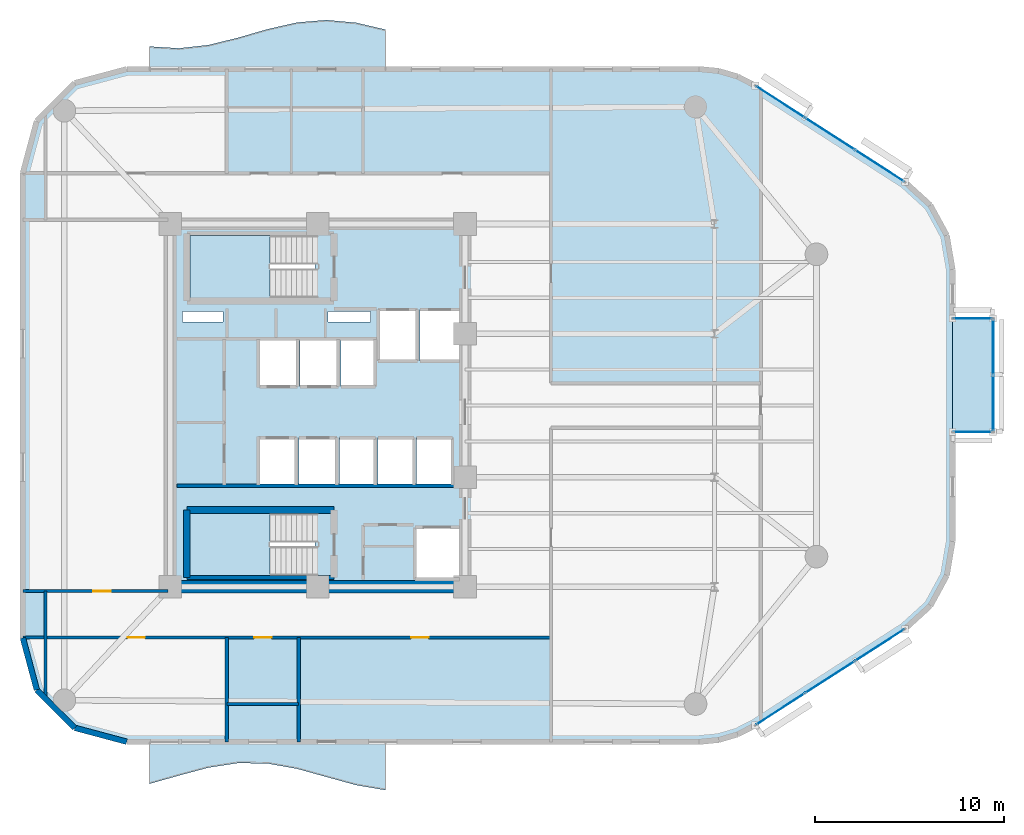
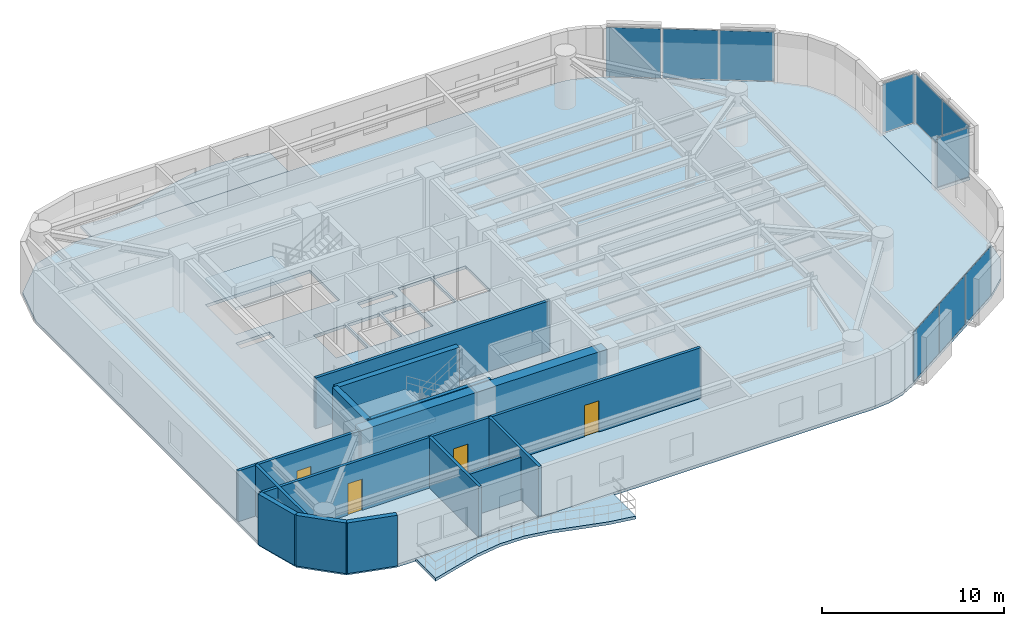
# One storey, part 7 of 12: 14 walls, 10 plates, 6 slabs, 4 doors, 4 openings, 7 elements without a shape of their own.
"""IFC4 building model written with IfcOpenShell, lengths in metres."""

from ifc_helpers import new_model, si_unit, direction, frame, frame_2d, origin, origin_2d, place, context, subcontext, project, spatial, polyline, rectangle, outline, extrude, material, layer, layer_set, type_object, element, fill, aggregate, save


model = new_model("IFC4")

# Units and contexts
model_context = context("Model", 3, precision=1e-05, world=origin(), true_north=direction((0.0, 1.0)))
body_context = subcontext(model_context, "Body", "Model", "MODEL_VIEW")
ifc_project = project(units=[si_unit("LENGTHUNIT", "METRE"), si_unit("AREAUNIT", "SQUARE_METRE"), si_unit("VOLUMEUNIT", "CUBIC_METRE"), si_unit("PLANEANGLEUNIT", "RADIAN"), si_unit("MASSUNIT", "GRAM", prefix="KILO")], contexts=[model_context])

# Site, building, storey
site_placement = place(None, origin())
site = spatial("IfcSite", under=ifc_project, at=site_placement, CompositionType="ELEMENT")
building_placement = place(site_placement, origin())
building = spatial("IfcBuilding", under=site, at=building_placement, Name="An Khanh Terracotta Commons", CompositionType="ELEMENT")
storey_placement = place(building_placement, frame((0.0, 0.0, 161.800048828125)))
storey = spatial("IfcBuildingStorey", under=building, at=storey_placement, Name="L42", CompositionType="ELEMENT", Elevation=161.800048828125)

# Curtain wall, plates
ifc_material_1 = material(Name="Anodised Aluminium 6063-T6", Category="aluminium")
ifc_layer_1 = layer(ifc_material_1, 0.2099609375, Name="Anodised Aluminium 6063-T6")
ifc_layer_set_1 = layer_set([ifc_layer_1], Name="Anodised Aluminium 6063-T6")
curtain_wall_type_1 = type_object("IfcCurtainWallType", Name="CW-SYS-03", PredefinedType="USERDEFINED", material=ifc_layer_set_1)
curtain_wall_1_placement = place(storey_placement, origin())
curtain_wall_1 = element("IfcCurtainWall", 1, at=curtain_wall_1_placement, inside=storey, type_object=curtain_wall_type_1, Name="L42 CW-03 Unitised Curtain Wall CW-L42-08", ObjectType="UNITISED CURTAIN WALL", PredefinedType="USERDEFINED")
ifc_material_2 = material(Name="Acoustic Laminated Low-E Glazing", Category="glass")
ifc_layer_2 = layer(ifc_material_2, 0.035888671875, Name="Acoustic Laminated Low-E Glazing")
ifc_layer_set_2 = layer_set([ifc_layer_2], Name="Acoustic Laminated Low-E Glazing")
plate_type_1 = type_object("IfcPlateType", Name="CWP-IGU-36", PredefinedType="CURTAIN_PANEL", material=ifc_layer_set_2)
plate_1_placement = place(storey_placement, frame((53.894287109375, 7.935546875, 0.0498046875), z_axis=(0.0, 0.0, 1.0), x_axis=(0.840702081986, 0.541497931062, 0.0)))
plate_1 = element("IfcPlate", 2, at=plate_1_placement, type_object=plate_type_1, Name="CW-03 panel 1.1", PredefinedType="CURTAIN_PANEL", context=body_context, shape_type="SweptSolid", body=[
    extrude(rectangle(XDim=3.034423828125, YDim=0.035888671875, at=origin_2d()), origin(), (0.0, 0.0, 1.0), 3.300048828125),
])
plate_2_placement = place(storey_placement, frame((56.51904296875, 9.6259765625, 0.0498046875), z_axis=(0.0, 0.0, 1.0), x_axis=(0.840702081986, 0.541497931062, 0.0)))
plate_2 = element("IfcPlate", 3, at=plate_2_placement, type_object=plate_type_1, Name="CW-03 panel 2.1", PredefinedType="CURTAIN_PANEL", context=body_context, shape_type="SweptSolid", body=[
    extrude(rectangle(XDim=3.0693359375, YDim=0.035888671875, at=origin_2d()), origin(), (0.0, 0.0, 1.0), 3.300048828125),
])
plate_3_placement = place(storey_placement, frame((59.1435546875, 11.31640625, 0.0498046875), z_axis=(0.0, 0.0, 1.0), x_axis=(0.840702081986, 0.541497931062, 0.0)))
plate_3 = element("IfcPlate", 4, at=plate_3_placement, type_object=plate_type_1, Name="CW-03 panel 3.1", PredefinedType="CURTAIN_PANEL", context=body_context, shape_type="SweptSolid", body=[
    extrude(rectangle(XDim=3.034423828125, YDim=0.035888671875, at=origin_2d()), origin(), (0.0, 0.0, 1.0), 3.300048828125),
])
aggregate(curtain_wall_1, [plate_1, plate_2, plate_3])

curtain_wall_2_placement = place(storey_placement, origin())
curtain_wall_2 = element("IfcCurtainWall", 5, at=curtain_wall_2_placement, inside=storey, type_object=curtain_wall_type_1, Name="L42 CW-03 Unitised Curtain Wall CW-L42-16", ObjectType="UNITISED CURTAIN WALL", PredefinedType="USERDEFINED")
plate_4_placement = place(storey_placement, frame((59.1435546875, 36.68359375, 0.0498046875), z_axis=(0.0, 0.0, 1.0), x_axis=(-0.840702081986, 0.541497931062, 0.0)))
plate_4 = element("IfcPlate", 6, at=plate_4_placement, type_object=plate_type_1, Name="CW-03 panel 1.1", PredefinedType="CURTAIN_PANEL", context=body_context, shape_type="SweptSolid", body=[
    extrude(rectangle(XDim=3.034423828125, YDim=0.035888671875, at=origin_2d()), origin(), (0.0, 0.0, 1.0), 3.300048828125),
])
plate_5_placement = place(storey_placement, frame((56.51904296875, 38.3740234375, 0.0498046875), z_axis=(0.0, 0.0, 1.0), x_axis=(-0.840702081986, 0.541497931062, 0.0)))
plate_5 = element("IfcPlate", 7, at=plate_5_placement, type_object=plate_type_1, Name="CW-03 panel 2.1", PredefinedType="CURTAIN_PANEL", context=body_context, shape_type="SweptSolid", body=[
    extrude(rectangle(XDim=3.0693359375, YDim=0.035888671875, at=origin_2d()), origin(), (0.0, 0.0, 1.0), 3.300048828125),
])
plate_6_placement = place(storey_placement, frame((53.894287109375, 40.064453125, 0.0498046875), z_axis=(0.0, 0.0, 1.0), x_axis=(-0.840702081986, 0.541497931062, 0.0)))
plate_6 = element("IfcPlate", 8, at=plate_6_placement, type_object=plate_type_1, Name="CW-03 panel 3.1", PredefinedType="CURTAIN_PANEL", context=body_context, shape_type="SweptSolid", body=[
    extrude(rectangle(XDim=3.034423828125, YDim=0.035888671875, at=origin_2d()), origin(), (0.0, 0.0, 1.0), 3.300048828125),
])
aggregate(curtain_wall_2, [plate_4, plate_5, plate_6])

ifc_layer_3 = layer(ifc_material_1, 0.239990234375, Name="Anodised Aluminium 6063-T6")
ifc_layer_set_3 = layer_set([ifc_layer_3], Name="Anodised Aluminium 6063-T6")
curtain_wall_type_2 = type_object("IfcCurtainWallType", Name="CW-SYS-04", PredefinedType="USERDEFINED", material=ifc_layer_set_3)
curtain_wall_3_placement = place(storey_placement, origin())
curtain_wall_3 = element("IfcCurtainWall", 9, at=curtain_wall_3_placement, inside=storey, type_object=curtain_wall_type_2, Name="L42 CW-04 Unitised Curtain Wall CW-L42-EBOX-1", ObjectType="UNITISED CURTAIN WALL", PredefinedType="USERDEFINED")
ifc_material_3 = material(Name="Triple-Silver Sky-Lobby Glazing", Category="glass")
ifc_layer_4 = layer(ifc_material_3, 0.0400390625, Name="Triple-Silver Sky-Lobby Glazing")
ifc_layer_set_4 = layer_set([ifc_layer_4], Name="Triple-Silver Sky-Lobby Glazing")
plate_type_2 = type_object("IfcPlateType", Name="CWP-IGU-40", PredefinedType="CURTAIN_PANEL", material=ifc_layer_set_4)
plate_7_placement = place(storey_placement, frame((65.14990234375, 24.1162109375, 0.06005859375), z_axis=(0.0, 0.0, 1.0), x_axis=(0.0, 1.0, 0.0)))
plate_7 = element("IfcPlate", 10, at=plate_7_placement, type_object=plate_type_2, Name="CW-04 panel 1.1", PredefinedType="CURTAIN_PANEL", context=body_context, shape_type="SweptSolid", body=[
    extrude(rectangle(XDim=2.902587890625, YDim=0.0400390625, at=origin_2d()), origin(), (0.0, 0.0, 1.0), 3.280029296875),
])
plate_8_placement = place(storey_placement, frame((65.14990234375, 27.083740234375, 0.06005859375), z_axis=(0.0, 0.0, 1.0), x_axis=(0.0, 1.0, 0.0)))
plate_8 = element("IfcPlate", 11, at=plate_8_placement, type_object=plate_type_2, Name="CW-04 panel 2.1", PredefinedType="CURTAIN_PANEL", context=body_context, shape_type="SweptSolid", body=[
    extrude(rectangle(XDim=2.902587890625, YDim=0.0400390625, at=origin_2d()), origin(), (0.0, 0.0, 1.0), 3.280029296875),
])
aggregate(curtain_wall_3, [plate_7, plate_8])

# Curtain wall, plate
curtain_wall_4_placement = place(storey_placement, origin())
curtain_wall_4 = element("IfcCurtainWall", 12, at=curtain_wall_4_placement, inside=storey, type_object=curtain_wall_type_2, Name="L42 CW-04 Unitised Curtain Wall CW-L42-EBOX-2", ObjectType="UNITISED CURTAIN WALL", PredefinedType="USERDEFINED")
plate_9_placement = place(storey_placement, frame((64.074951171875, 22.60009765625, 0.06005859375), z_axis=(0.0, 0.0, 1.0), x_axis=(1.0, 0.0, 0.0)))
plate_9 = element("IfcPlate", 13, at=plate_9_placement, type_object=plate_type_2, Name="CW-04 panel 1.1", PredefinedType="CURTAIN_PANEL", context=body_context, shape_type="SweptSolid", body=[
    extrude(rectangle(XDim=2.02001953125, YDim=0.0400390625, at=origin_2d()), origin(), (0.0, 0.0, 1.0), 3.280029296875),
])
aggregate(curtain_wall_4, [plate_9])

curtain_wall_5_placement = place(storey_placement, origin())
curtain_wall_5 = element("IfcCurtainWall", 14, at=curtain_wall_5_placement, inside=storey, type_object=curtain_wall_type_2, Name="L42 CW-04 Unitised Curtain Wall CW-L42-EBOX-3", ObjectType="UNITISED CURTAIN WALL", PredefinedType="USERDEFINED")
plate_10_placement = place(storey_placement, frame((64.074951171875, 28.60009765625, 0.06005859375), z_axis=(0.0, 0.0, 1.0), x_axis=(-1.0, 0.0, 0.0)))
plate_10 = element("IfcPlate", 15, at=plate_10_placement, type_object=plate_type_2, Name="CW-04 panel 1.1", PredefinedType="CURTAIN_PANEL", context=body_context, shape_type="SweptSolid", body=[
    extrude(rectangle(XDim=2.02001953125, YDim=0.0400390625, at=origin_2d()), origin(), (0.0, 0.0, 1.0), 3.280029296875),
])
aggregate(curtain_wall_5, [plate_10])

# Slabs
ifc_material_4 = material(Name="Concrete C40/50", Category="concrete")
ifc_layer_5 = layer(ifc_material_4, 0.199951171875, Name="Concrete C40/50")
ifc_layer_set_5 = layer_set([ifc_layer_5], Name="Concrete C40/50")
slab_type_1 = type_object("IfcSlabType", Name="SLAB-BALC-200", PredefinedType="FLOOR", material=ifc_layer_set_5)
slab_1_placement = place(storey_placement, frame((0.0, 0.0, -0.199951171875)))
element("IfcSlab", 16, at=slab_1_placement, inside=storey, type_object=slab_type_1, Name="L42 S Sinusoidal Wave Balcony Slab", PredefinedType="FLOOR", context=body_context, shape_type="SweptSolid", body=[
    extrude(outline(polyline([(20.5, 6.199951171875), (20.5, 3.97509765625), (22.06201171875, 4.4169921875), (23.625, 4.8349609375), (25.18798828125, 5.075927734375), (26.75, 5.052001953125), (28.31201171875, 4.77197265625), (29.875, 4.337890625), (31.43798828125, 3.907958984375), (33.0, 3.639892578125), (33.0, 6.199951171875), (20.5, 6.199951171875)])), origin(), (0.0, 0.0, 1.0), 0.199951171875),
])
slab_2_placement = place(storey_placement, frame((0.0, 0.0, -0.199951171875)))
element("IfcSlab", 17, at=slab_2_placement, inside=storey, type_object=slab_type_1, Name="L42 N Sinusoidal Wave Balcony Slab", PredefinedType="FLOOR", context=body_context, shape_type="SweptSolid", body=[
    extrude(outline(polyline([(33.0, 41.800048828125), (33.0, 43.89111328125), (31.43798828125, 44.256103515625), (29.875, 44.39990234375), (28.31201171875, 44.27001953125), (26.75, 43.9140625), (25.18798828125, 43.4619140625), (23.625, 43.077880859375), (22.06201171875, 42.903076171875), (20.5, 43.0), (20.5, 41.800048828125), (33.0, 41.800048828125)])), origin(), (0.0, 0.0, 1.0), 0.199951171875),
])

# Stair, slab
ifc_material_5 = material(Name="Precast concrete C40/50", Category="concrete")
stair_type = type_object("IfcStairType", Name="STAIR-CORE-1550", PredefinedType="HALF_TURN_STAIR", material=ifc_material_5)
stair_1_placement = place(storey_placement, origin())
stair_1 = element("IfcStair", 18, at=stair_1_placement, inside=storey, type_object=stair_type, Name="L42 Core Smokeproof Exit Stair ST-01", PredefinedType="HALF_TURN_STAIR")
ifc_layer_6 = layer(ifc_material_4, 0.18994140625, Name="Concrete C40/50")
ifc_layer_set_6 = layer_set([ifc_layer_6], Name="Concrete C40/50")
slab_type_2 = type_object("IfcSlabType", Name="SLAB-LANDING-190", PredefinedType="LANDING", material=ifc_layer_set_6)
slab_3_placement = place(storey_placement, frame((0.0, 0.0, 1.599853515625)))
slab_3 = element("IfcSlab", 19, at=slab_3_placement, type_object=slab_type_2, Name="ST-01 landing 1", PredefinedType="LANDING", context=body_context, shape_type="SweptSolid", body=[
    extrude(outline(polyline([(26.889892578125, 33.0), (22.64990234375, 33.0), (22.64990234375, 29.699951171875), (26.889892578125, 29.699951171875), (26.889892578125, 33.0)])), origin(), (0.0, 0.0, 1.0), 0.2001953125),
])
aggregate(stair_1, [slab_3])

stair_2_placement = place(storey_placement, origin())
stair_2 = element("IfcStair", 20, at=stair_2_placement, inside=storey, type_object=stair_type, Name="L42 Core Smokeproof Exit Stair ST-02", PredefinedType="HALF_TURN_STAIR")
slab_4_placement = place(storey_placement, frame((0.0, 0.0, 1.599853515625)))
slab_4 = element("IfcSlab", 21, at=slab_4_placement, type_object=slab_type_2, Name="ST-02 landing 1", PredefinedType="LANDING", context=body_context, shape_type="SweptSolid", body=[
    extrude(outline(polyline([(26.889892578125, 18.300048828125), (22.64990234375, 18.300048828125), (22.64990234375, 15.0), (26.889892578125, 15.0), (26.889892578125, 18.300048828125)])), origin(), (0.0, 0.0, 1.0), 0.2001953125),
])
aggregate(stair_2, [slab_4])

# Slabs
ifc_layer_7 = layer(ifc_material_4, 0.199951171875, Name="Concrete C40/50")
ifc_layer_set_7 = layer_set([ifc_layer_7], Name="Concrete C40/50")
slab_type_3 = type_object("IfcSlabType", Name="SLAB-TYP-200", PredefinedType="FLOOR", material=ifc_layer_set_7)
slab_5_placement = place(storey_placement, frame((0.0, 0.0, -0.199951171875)))
element("IfcSlab", 22, at=slab_5_placement, inside=storey, type_object=slab_type_3, Name="L42 Structural Floor Slab", PredefinedType="FLOOR", context=body_context, shape_type="SweptSolid", body=[
    extrude(outline(polyline([(13.800048828125, 11.699951171875), (14.537109375, 8.949951171875), (16.550048828125, 6.93701171875), (19.300048828125, 6.199951171875), (49.58203125, 6.199951171875), (50.625, 6.300048828125), (51.6298828125, 6.594970703125), (52.56005859375, 7.075927734375), (60.47802734375, 12.176025390625), (61.825927734375, 13.403076171875), (62.697998046875, 15.0029296875), (63.0, 16.800048828125), (63.0, 31.199951171875), (62.697998046875, 32.9970703125), (61.825927734375, 34.596923828125), (60.47802734375, 35.823974609375), (52.56005859375, 40.924072265625), (51.6298828125, 41.405029296875), (50.625, 41.699951171875), (49.58203125, 41.800048828125), (19.300048828125, 41.800048828125), (16.550048828125, 41.06298828125), (14.537109375, 39.050048828125), (13.800048828125, 36.300048828125), (13.800048828125, 11.699951171875)]), holes=[polyline([(22.64990234375, 29.699951171875), (29.27001953125, 29.699951171875), (29.27001953125, 33.0), (22.64990234375, 33.0), (22.64990234375, 29.699951171875)]), polyline([(22.64990234375, 15.0), (29.27001953125, 15.0), (29.27001953125, 18.300048828125), (22.64990234375, 18.300048828125), (22.64990234375, 15.0)]), polyline([(32.60009765625, 26.35009765625), (34.679931640625, 26.35009765625), (34.679931640625, 29.080078125), (32.60009765625, 29.080078125), (32.60009765625, 26.35009765625)]), polyline([(34.820068359375, 26.35009765625), (36.89990234375, 26.35009765625), (36.89990234375, 29.080078125), (34.820068359375, 29.080078125), (34.820068359375, 26.35009765625)]), polyline([(34.550048828125, 14.800048828125), (36.89990234375, 14.800048828125), (36.89990234375, 17.550048828125), (34.550048828125, 17.550048828125), (34.550048828125, 14.800048828125)]), polyline([(26.320068359375, 25.0), (28.340087890625, 25.0), (28.340087890625, 27.5), (26.320068359375, 27.5), (26.320068359375, 25.0)]), polyline([(28.47998046875, 25.0), (30.5, 25.0), (30.5, 27.5), (28.47998046875, 27.5), (28.47998046875, 25.0)]), polyline([(26.280029296875, 19.800048828125), (28.280029296875, 19.800048828125), (28.280029296875, 22.300048828125), (26.280029296875, 22.300048828125), (26.280029296875, 19.800048828125)]), polyline([(28.419921875, 19.800048828125), (30.419921875, 19.800048828125), (30.419921875, 22.300048828125), (28.419921875, 22.300048828125), (28.419921875, 19.800048828125)]), polyline([(30.639892578125, 25.0), (32.4599609375, 25.0), (32.4599609375, 27.5), (30.639892578125, 27.5), (30.639892578125, 25.0)]), polyline([(30.56005859375, 19.800048828125), (32.4599609375, 19.800048828125), (32.4599609375, 22.300048828125), (30.56005859375, 22.300048828125), (30.56005859375, 19.800048828125)]), polyline([(32.60009765625, 19.800048828125), (34.5, 19.800048828125), (34.5, 22.300048828125), (32.60009765625, 22.300048828125), (32.60009765625, 19.800048828125)]), polyline([(34.639892578125, 19.800048828125), (36.5400390625, 19.800048828125), (36.5400390625, 22.300048828125), (34.639892578125, 22.300048828125), (34.639892578125, 19.800048828125)]), polyline([(22.25, 28.419921875), (24.39990234375, 28.419921875), (24.39990234375, 28.97998046875), (22.25, 28.97998046875), (22.25, 28.419921875)]), polyline([(29.949951171875, 28.419921875), (32.199951171875, 28.419921875), (32.199951171875, 28.97998046875), (29.949951171875, 28.97998046875), (29.949951171875, 28.419921875)])]), origin(), (0.0, 0.0, 1.0), 0.199951171875),
])
slab_6_placement = place(storey_placement, frame((0.0, 0.0, -0.199951171875)))
element("IfcSlab", 23, at=slab_6_placement, inside=storey, type_object=slab_type_3, Name="L42 Shifted Social Kitchen Box Floor Slab", PredefinedType="FLOOR", context=body_context, shape_type="SweptSolid", body=[
    extrude(outline(polyline([(63.0, 22.60009765625), (65.14990234375, 22.60009765625), (65.14990234375, 28.60009765625), (63.0, 28.60009765625), (63.0, 22.60009765625)])), origin(), (0.0, 0.0, 1.0), 0.199951171875),
])

# Walls
ifc_material_6 = material(Name="Concrete C60/75", Category="concrete")
ifc_layer_8 = layer(ifc_material_6, 0.64990234375, Name="Concrete C60/75")
ifc_layer_set_8 = layer_set([ifc_layer_8], Name="Concrete C60/75")
wall_type_1 = type_object("IfcWallType", Name="WALL-CORE-650", PredefinedType="SHEAR", material=ifc_layer_set_8)
wall_1_placement = place(storey_placement, frame((37.199951171875, 14.39990234375, 0.0), z_axis=(0.0, 0.0, 1.0), x_axis=(-1.0, 0.0, 0.0)))
element("IfcWall", 24, at=wall_1_placement, inside=storey, type_object=wall_type_1, Name="L42 Core Wall CWALL-L42-S", PredefinedType="SHEAR", context=body_context, shape_type="SweptSolid", body=[
    extrude(rectangle(XDim=15.599853515625, YDim=0.64990234375, at=frame_2d((7.7998046875, 0.0))), origin(), (0.0, 0.0, 1.0), 3.39990234375),
])
ifc_material_7 = material(Name="Fire-Rated Gypsum Board on Steel Stud", Category="steel")
ifc_layer_9 = layer(ifc_material_7, 0.179931640625, Name="Fire-Rated Gypsum Board on Steel Stud")
ifc_layer_set_9 = layer_set([ifc_layer_9], Name="Fire-Rated Gypsum Board on Steel Stud")
wall_type_2 = type_object("IfcWallType", Name="WALL-CORR-180", PredefinedType="PARTITIONING", material=ifc_layer_set_9)
wall_2_placement = place(storey_placement, frame((21.949951171875, 19.760009765625, 0.0), z_axis=(0.0, 0.0, 1.0), x_axis=(1.0, 0.0, 0.0)))
element("IfcWall", 25, at=wall_2_placement, inside=storey, type_object=wall_type_2, Name="L42 Core Wall SVW-L42-N", PredefinedType="PARTITIONING", context=body_context, shape_type="SweptSolid", body=[
    extrude(rectangle(XDim=14.8701171875, YDim=0.179931640625, at=frame_2d((7.43505859375, 0.0))), origin(), (0.0, 0.0, 1.0), 3.39990234375),
])
wall_3_placement = place(storey_placement, frame((24.60009765625, 8.199951171875, 0.0), z_axis=(0.0, 0.0, 1.0), x_axis=(1.0, 0.0, 0.0)))
element("IfcWall", 26, at=wall_3_placement, inside=storey, type_object=wall_type_2, Name="L42 Interior Partition IW-L42-E001", PredefinedType="PARTITIONING", context=body_context, shape_type="SweptSolid", body=[
    extrude(rectangle(XDim=3.7998046875, YDim=0.179931640625, at=frame_2d((1.89990234375, 0.0))), origin(), (0.0, 0.0, 1.0), 2.8818359375),
])

# Wall, openings, doors
wall_4_placement = place(storey_placement, frame((13.800048828125, 11.719970703125, 0.0), z_axis=(0.0, 0.0, 1.0), x_axis=(1.0, 0.0, 0.0)))
wall_4 = element("IfcWall", 27, at=wall_4_placement, inside=storey, type_object=wall_type_2, Name="L42 Interior Partition IW-L42-E002", PredefinedType="PARTITIONING", context=body_context, shape_type="SweptSolid", body=[
    extrude(rectangle(XDim=27.949951171875, YDim=0.179931640625, at=frame_2d((13.97509765625, 0.0))), origin(), (0.0, 0.0, 1.0), 3.39990234375),
])
opening_1_placement = place(wall_4_placement, frame((12.239990234375, 0.0, 0.0)))
opening_1 = element("IfcOpeningElement", 28, at=opening_1_placement, cuts=wall_4, Name="Opening D-RM", PredefinedType="OPENING", context=body_context, shape_type="SweptSolid", body=[
    extrude(rectangle(XDim=0.919921875, YDim=2.10009765625, at=frame_2d((0.4599609375, 1.050048828125))), frame((0.0, 0.099853515625, 0.0), z_axis=(0.0, -1.0, 0.0), x_axis=(1.0, 0.0, 0.0)), (0.0, 0.0, 1.0), 0.199951171875),
])
opening_2_placement = place(wall_4_placement, frame((5.5400390625, 0.0, 0.0)))
opening_2 = element("IfcOpeningElement", 29, at=opening_2_placement, cuts=wall_4, Name="Opening D-RM", PredefinedType="OPENING", context=body_context, shape_type="SweptSolid", body=[
    extrude(rectangle(XDim=0.919921875, YDim=2.10009765625, at=frame_2d((0.4599609375, 1.050048828125))), frame((0.0, 0.099853515625, 0.0), z_axis=(0.0, -1.0, 0.0), x_axis=(1.0, 0.0, 0.0)), (0.0, 0.0, 1.0), 0.199951171875),
])
opening_3_placement = place(wall_4_placement, frame((20.554931640625, 0.0, 0.0)))
opening_3 = element("IfcOpeningElement", 30, at=opening_3_placement, cuts=wall_4, Name="Opening D-RM", PredefinedType="OPENING", context=body_context, shape_type="SweptSolid", body=[
    extrude(rectangle(XDim=0.919921875, YDim=2.10009765625, at=frame_2d((0.4599609375, 1.050048828125))), frame((0.0, 0.099853515625, 0.0), z_axis=(0.0, -1.0, 0.0), x_axis=(1.0, 0.0, 0.0)), (0.0, 0.0, 1.0), 0.199951171875),
])
ifc_material_8 = material(Name="Engineered Hardwood Timber Leaf", Category="wood")
door_type = type_object("IfcDoorType", Name="DOOR-INT-920", OperationType="NOTDEFINED", PredefinedType="DOOR", material=ifc_material_8)
door_1_placement = place(opening_1_placement, origin())
door_1 = element("IfcDoor", 31, at=door_1_placement, inside=storey, type_object=door_type, Name="L42 HKP Housekeeping Linen Store Door", OperationType="SINGLE_SWING_LEFT", OverallHeight=2.10009765625, OverallWidth=0.919921875, PredefinedType="DOOR", context=body_context, shape_type="SweptSolid", body=[
    extrude(rectangle(XDim=0.919921875, YDim=2.10009765625, at=frame_2d((0.4599609375, 1.050048828125))), frame((0.0, 0.02490234375, 0.0), z_axis=(0.0, -1.0, 0.0), x_axis=(1.0, 0.0, 0.0)), (0.0, 0.0, 1.0), 0.050048828125),
])
fill(opening_1, door_1)
door_2_placement = place(opening_2_placement, origin())
door_2 = element("IfcDoor", 32, at=door_2_placement, inside=storey, type_object=door_type, Name="L42 SW1 Academic Seminar Room Door", OperationType="SINGLE_SWING_LEFT", OverallHeight=2.10009765625, OverallWidth=0.919921875, PredefinedType="DOOR", context=body_context, shape_type="SweptSolid", body=[
    extrude(rectangle(XDim=0.919921875, YDim=2.10009765625, at=frame_2d((0.4599609375, 1.050048828125))), frame((0.0, 0.02490234375, 0.0), z_axis=(0.0, -1.0, 0.0), x_axis=(1.0, 0.0, 0.0)), (0.0, 0.0, 1.0), 0.050048828125),
])
fill(opening_2, door_2)
door_3_placement = place(opening_3_placement, origin())
door_3 = element("IfcDoor", 33, at=door_3_placement, inside=storey, type_object=door_type, Name="L42 SWE Music Practice Room Door", OperationType="SINGLE_SWING_RIGHT", OverallHeight=2.10009765625, OverallWidth=0.919921875, PredefinedType="DOOR", context=body_context, shape_type="SweptSolid", body=[
    extrude(rectangle(XDim=0.919921875, YDim=2.10009765625, at=frame_2d((0.4599609375, 1.050048828125))), frame((0.0, 0.02490234375, 0.0), z_axis=(0.0, -1.0, 0.0), x_axis=(1.0, 0.0, 0.0)), (0.0, 0.0, 1.0), 0.050048828125),
])
fill(opening_3, door_3)

# Wall, opening, door
wall_5_placement = place(storey_placement, frame((13.800048828125, 14.179931640625, 0.0), z_axis=(0.0, 0.0, 1.0), x_axis=(1.0, 0.0, 0.0)))
wall_5 = element("IfcWall", 34, at=wall_5_placement, inside=storey, type_object=wall_type_2, Name="L42 Interior Partition IW-L42-E003", PredefinedType="PARTITIONING", context=body_context, shape_type="SweptSolid", body=[
    extrude(rectangle(XDim=7.679931640625, YDim=0.179931640625, at=frame_2d((3.83984375, 0.0))), origin(), (0.0, 0.0, 1.0), 3.39990234375),
])
opening_4_placement = place(wall_5_placement, frame((3.719970703125, 0.0, 0.0)))
opening_4 = element("IfcOpeningElement", 35, at=opening_4_placement, cuts=wall_5, Name="Opening D-RM", PredefinedType="OPENING", context=body_context, shape_type="SweptSolid", body=[
    extrude(rectangle(XDim=0.919921875, YDim=2.10009765625, at=frame_2d((0.4599609375, 1.050048828125))), frame((0.0, 0.099853515625, 0.0), z_axis=(0.0, -1.0, 0.0), x_axis=(1.0, 0.0, 0.0)), (0.0, 0.0, 1.0), 0.199951171875),
])
door_4_placement = place(opening_4_placement, origin())
door_4 = element("IfcDoor", 36, at=door_4_placement, inside=storey, type_object=door_type, Name="L42 WW1 Riverfront Reading Hall Door", OperationType="SINGLE_SWING_LEFT", OverallHeight=2.10009765625, OverallWidth=0.919921875, PredefinedType="DOOR", context=body_context, shape_type="SweptSolid", body=[
    extrude(rectangle(XDim=0.919921875, YDim=2.10009765625, at=frame_2d((0.4599609375, 1.050048828125))), frame((0.0, 0.02490234375, 0.0), z_axis=(0.0, -1.0, 0.0), x_axis=(1.0, 0.0, 0.0)), (0.0, 0.0, 1.0), 0.050048828125),
])
fill(opening_4, door_4)

# Walls
wall_6_placement = place(storey_placement, frame((15.0, 8.487060546875, 0.0), z_axis=(0.0, 0.0, 1.0), x_axis=(0.0, 1.0, 0.0)))
element("IfcWall", 37, at=wall_6_placement, inside=storey, type_object=wall_type_2, Name="L42 Interior Partition IW-L42-E009", PredefinedType="PARTITIONING", context=body_context, shape_type="SweptSolid", body=[
    extrude(rectangle(XDim=5.69287109375, YDim=0.179931640625, at=frame_2d((2.846435546875, 0.0))), origin(), (0.0, 0.0, 1.0), 3.39990234375),
])
for number, where, z_axis, x_axis, name in (
    (38, (24.60009765625, 6.199951171875, 0.0), (0.0, 0.0, 1.0), (0.0, 1.0, 0.0), "L42 Interior Partition IW-L42-E011"),
    (39, (28.39990234375, 6.199951171875, 0.0), (0.0, 0.0, 1.0), (0.0, 1.0, 0.0), "L42 Interior Partition IW-L42-E014"),
):
    element("IfcWall", number, at=place(storey_placement, frame(where, z_axis=z_axis, x_axis=x_axis)), inside=storey, type_object=wall_type_2, Name=name, PredefinedType="PARTITIONING", context=body_context, shape_type="SweptSolid", body=[
        extrude(rectangle(XDim=5.52001953125, YDim=0.179931640625, at=frame_2d((2.760009765625, 0.0))), origin(), (0.0, 0.0, 1.0), 3.39990234375),
    ])
ifc_layer_10 = layer(ifc_material_5, 0.300048828125, Name="Precast concrete C40/50")
ifc_layer_set_10 = layer_set([ifc_layer_10], Name="Precast concrete C40/50")
wall_type_3 = type_object("IfcWallType", Name="WALL-EXT-300", PredefinedType="SOLIDWALL", material=ifc_layer_set_10)
wall_7_placement = place(storey_placement, frame((13.800048828125, 11.699951171875, 0.0), z_axis=(0.0, 0.0, 1.0), x_axis=(0.258884674387, -0.965908238586, 0.0)))
element("IfcWall", 40, at=wall_7_placement, inside=storey, type_object=wall_type_3, Name="L42 Insulated Terracotta Exterior Wall 1", PredefinedType="SOLIDWALL", context=body_context, shape_type="SweptSolid", body=[
    extrude(rectangle(XDim=2.84716796875, YDim=0.300048828125, at=frame_2d((1.423583984375, 0.0))), origin(), (0.0, 0.0, 1.0), 3.39990234375),
])
wall_8_placement = place(storey_placement, frame((14.537109375, 8.949951171875, 0.0), z_axis=(0.0, 0.0, 1.0), x_axis=(0.707106781187, -0.707106781187, 0.0)))
element("IfcWall", 41, at=wall_8_placement, inside=storey, type_object=wall_type_3, Name="L42 Insulated Terracotta Exterior Wall 2", PredefinedType="SOLIDWALL", context=body_context, shape_type="SweptSolid", body=[
    extrude(rectangle(XDim=2.8466796875, YDim=0.300048828125, at=frame_2d((1.42333984375, 0.0))), origin(), (0.0, 0.0, 1.0), 3.39990234375),
])
wall_9_placement = place(storey_placement, frame((16.550048828125, 6.93701171875, 0.0), z_axis=(0.0, 0.0, 1.0), x_axis=(0.965908238586, -0.258884674387, 0.0)))
element("IfcWall", 42, at=wall_9_placement, inside=storey, type_object=wall_type_3, Name="L42 Insulated Terracotta Exterior Wall 3", PredefinedType="SOLIDWALL", context=body_context, shape_type="SweptSolid", body=[
    extrude(rectangle(XDim=2.84716796875, YDim=0.300048828125, at=frame_2d((1.423583984375, 0.0))), origin(), (0.0, 0.0, 1.0), 3.39990234375),
])
ifc_material_9 = material(Name="Acoustic Double-Stud Gypsum and Mineral Wool")
ifc_layer_11 = layer(ifc_material_9, 0.219970703125, Name="Acoustic Double-Stud Gypsum and Mineral Wool")
ifc_layer_set_11 = layer_set([ifc_layer_11], Name="Acoustic Double-Stud Gypsum and Mineral Wool")
wall_type_4 = type_object("IfcWallType", Name="WALL-PARTY-220", PredefinedType="PARTITIONING", material=ifc_layer_set_11)
wall_10_placement = place(storey_placement, frame((22.47998046875, 14.889892578125, 0.0), z_axis=(0.0, 0.0, 1.0), x_axis=(1.0, 0.0, 0.0)))
element("IfcWall", 43, at=wall_10_placement, inside=storey, type_object=wall_type_4, Name="L42 Core Wall STW-L42-S-S", PredefinedType="PARTITIONING", context=body_context, shape_type="SweptSolid", body=[
    extrude(rectangle(XDim=7.7900390625, YDim=0.219970703125, at=frame_2d((3.89501953125, 0.0))), origin(), (0.0, 0.0, 1.0), 3.39990234375),
])
ifc_material_10 = material(Name="Concrete C50/60", Category="concrete")
ifc_layer_12 = layer(ifc_material_10, 0.35009765625, Name="Concrete C50/60")
ifc_layer_set_12 = layer_set([ifc_layer_12], Name="Concrete C50/60")
wall_type_5 = type_object("IfcWallType", Name="WALL-SHAFT-350", PredefinedType="SOLIDWALL", material=ifc_layer_set_12)
wall_11_placement = place(storey_placement, frame((22.47998046875, 18.469970703125, 0.0), z_axis=(0.0, 0.0, 1.0), x_axis=(1.0, 0.0, 0.0)))
element("IfcWall", 44, at=wall_11_placement, inside=storey, type_object=wall_type_5, Name="L42 Core Wall STW-L42-S-N", PredefinedType="SOLIDWALL", context=body_context, shape_type="SweptSolid", body=[
    extrude(rectangle(XDim=7.7900390625, YDim=0.35009765625, at=frame_2d((3.89501953125, 0.0))), origin(), (0.0, 0.0, 1.0), 3.39990234375),
])
wall_12_placement = place(storey_placement, frame((22.47998046875, 14.889892578125, 0.0), z_axis=(0.0, 0.0, 1.0), x_axis=(0.0, 1.0, 0.0)))
element("IfcWall", 45, at=wall_12_placement, inside=storey, type_object=wall_type_5, Name="L42 Core Wall STW-L42-S-W", PredefinedType="SOLIDWALL", context=body_context, shape_type="SweptSolid", body=[
    extrude(rectangle(XDim=3.580078125, YDim=0.35009765625, at=frame_2d((1.7900390625, 0.0))), origin(), (0.0, 0.0, 1.0), 3.39990234375),
])

save(model, "model.ifc")
